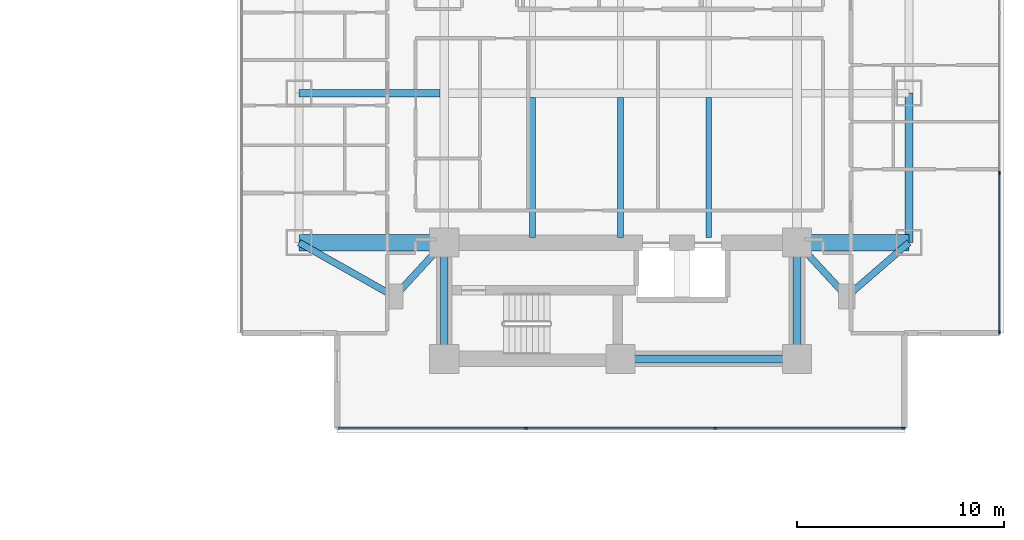
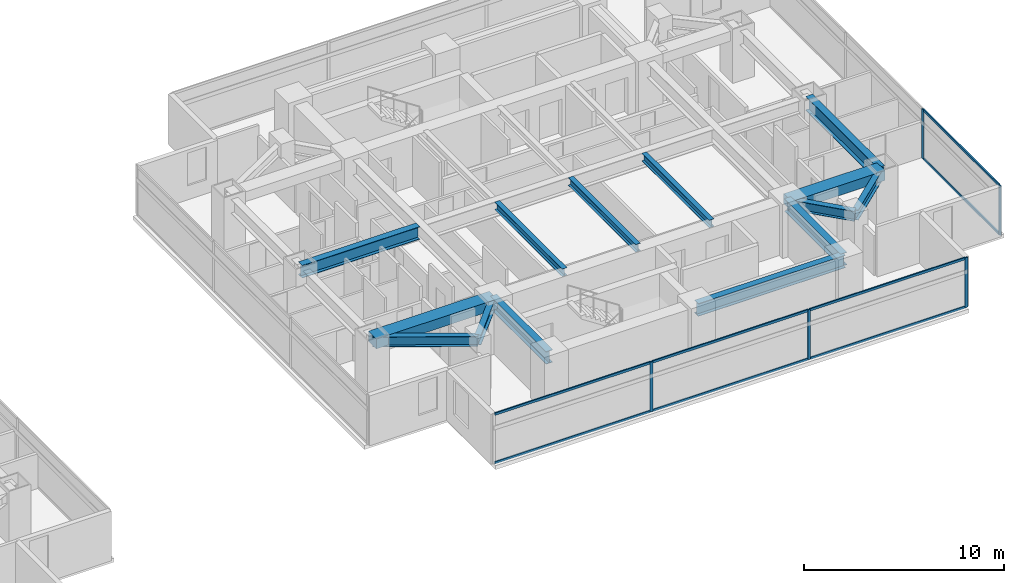
# One storey, part 8 of 23: 14 beams, 13 members, 2 elements without a shape of their own.
"""IFC4 building model written with IfcOpenShell, lengths in metres."""

from ifc_helpers import new_model, si_unit, direction, frame, origin, origin_2d, place, context, subcontext, project, spatial, rectangle, i_section, extrude, material, material_profile, profile_set, type_object, element, aggregate, save


model = new_model("IFC4")

# Units and contexts
model_context = context("Model", 3, precision=1e-05, world=origin(), true_north=direction((0.0, 1.0)))
body_context = subcontext(model_context, "Body", "Model", "MODEL_VIEW")
ifc_project = project(units=[si_unit("LENGTHUNIT", "METRE"), si_unit("AREAUNIT", "SQUARE_METRE"), si_unit("VOLUMEUNIT", "CUBIC_METRE"), si_unit("PLANEANGLEUNIT", "RADIAN"), si_unit("MASSUNIT", "GRAM", prefix="KILO")], contexts=[model_context])

# Site, building, storey
site_placement = place(None, origin())
site = spatial("IfcSite", under=ifc_project, at=site_placement, CompositionType="ELEMENT")
building_placement = place(site_placement, origin())
building = spatial("IfcBuilding", under=site, at=building_placement, Name="Mirazonda Arch Towers", CompositionType="ELEMENT")
storey_placement = place(building_placement, frame((0.0, 0.0, 29.0)))
storey = spatial("IfcBuildingStorey", under=building, at=storey_placement, Name="L07", CompositionType="ELEMENT", Elevation=29.0)

# Beams
ifc_material_1 = material(Name="Steel ASTM A992 Grade 50", Category="steel")
ifc_material_profile_1 = material_profile(ifc_material_1, i_section(OverallWidth=0.39990234375, OverallDepth=0.85595703125, WebThickness=0.018310546875, FlangeThickness=0.029296875, at=origin_2d()), Name="W33X201")
ifc_profile_set_1 = profile_set([ifc_material_profile_1], Name="Steel ASTM A992 Grade 50")
beam_type_1 = type_object("IfcBeamType", Name="BM-EXT-W33X201", PredefinedType="USERDEFINED", material=ifc_profile_set_1)
beam_1_placement = place(storey_placement, frame((90.39990234375, 20.800048828125, 2.632080078125), z_axis=(0.0, 1.0, 0.0), x_axis=(-1.0, 0.0, 0.0)))
element("IfcBeam", 1, at=beam_1_placement, inside=storey, type_object=beam_type_1, Name="L07 Floor Beam BM-T2-L07-NS-E-20", ObjectType="GIRDER", PredefinedType="USERDEFINED", context=body_context, shape_type="SweptSolid", body=[
    extrude(i_section(OverallWidth=0.39990234375, OverallDepth=0.85595703125, WebThickness=0.018310546875, FlangeThickness=0.029296875, at=origin_2d()), origin(), (0.0, 0.0, 1.0), 7.199951171875),
])
ifc_material_profile_2 = material_profile(ifc_material_1, i_section(OverallWidth=0.280029296875, OverallDepth=0.462890625, WebThickness=0.0107421875, FlangeThickness=0.017333984375, at=origin_2d()), Name="W18X76")
ifc_profile_set_2 = profile_set([ifc_material_profile_2], Name="Steel ASTM A992 Grade 50")
beam_type_2 = type_object("IfcBeamType", Name="BM-INT-W18X76", PredefinedType="JOIST", material=ifc_profile_set_2)
for number, where, z_axis, x_axis, name in (
    (2, (72.25, 21.0400390625, 2.82861328125), (0.0, 1.0, 0.0), (-1.0, 0.0, 0.0), "L07 Floor Beam BM-T2-L07-J-722-20"),
    (3, (76.5, 21.0400390625, 2.82861328125), (0.0, 1.0, 0.0), (-1.0, 0.0, 0.0), "L07 Floor Beam BM-T2-L07-J-765-20"),
    (4, (80.75, 21.0400390625, 2.82861328125), (0.0, 1.0, 0.0), (-1.0, 0.0, 0.0), "L07 Floor Beam BM-T2-L07-J-807-20"),
):
    element("IfcBeam", number, at=place(storey_placement, frame(where, z_axis=z_axis, x_axis=x_axis)), inside=storey, type_object=beam_type_2, Name=name, PredefinedType="JOIST", context=body_context, shape_type="SweptSolid", body=[
        extrude(i_section(OverallWidth=0.280029296875, OverallDepth=0.462890625, WebThickness=0.0107421875, FlangeThickness=0.017333984375, at=origin_2d()), origin(), (0.0, 0.0, 1.0), 6.7548828125),
    ])
ifc_material_profile_3 = material_profile(ifc_material_1, i_section(OverallWidth=0.324951171875, OverallDepth=0.615966796875, WebThickness=0.013916015625, FlangeThickness=0.021484375, at=origin_2d()), Name="W24X117")
ifc_profile_set_3 = profile_set([ifc_material_profile_3], Name="Steel ASTM A992 Grade 50")
beam_type_3 = type_object("IfcBeamType", Name="BM-INT-W24X117", PredefinedType="BEAM", material=ifc_profile_set_3)
beam_2_placement = place(storey_placement, frame((65.60009765625, 18.199951171875, 2.751953125), z_axis=(0.678251444854, 0.734829897019, 0.0), x_axis=(-0.734829897019, 0.678251444854, 0.0)))
element("IfcBeam", 5, at=beam_2_placement, inside=storey, type_object=beam_type_3, Name="L07 Floor Beam BM-T2-L07-PL-SW1", PredefinedType="BEAM", context=body_context, shape_type="SweptSolid", body=[
    extrude(i_section(OverallWidth=0.324951171875, OverallDepth=0.615966796875, WebThickness=0.013916015625, FlangeThickness=0.021484375, at=origin_2d()), origin(), (0.0, 0.0, 1.0), 3.538330078125),
])
beam_3_placement = place(storey_placement, frame((65.60009765625, 18.199951171875, 2.751953125), z_axis=(-0.870559396632, 0.492063346467, 0.0), x_axis=(-0.492063346467, -0.870559396632, 0.0)))
element("IfcBeam", 6, at=beam_3_placement, inside=storey, type_object=beam_type_3, Name="L07 Floor Beam BM-T2-L07-PL-SW2", PredefinedType="BEAM", context=body_context, shape_type="SweptSolid", body=[
    extrude(i_section(OverallWidth=0.324951171875, OverallDepth=0.615966796875, WebThickness=0.013916015625, FlangeThickness=0.021484375, at=origin_2d()), origin(), (0.0, 0.0, 1.0), 5.2841796875),
])
beam_4_placement = place(storey_placement, frame((87.39990234375, 18.199951171875, 2.751953125), z_axis=(-0.678251444854, 0.734829897019, 0.0), x_axis=(-0.734829897019, -0.678251444854, 0.0)))
element("IfcBeam", 7, at=beam_4_placement, inside=storey, type_object=beam_type_3, Name="L07 Floor Beam BM-T2-L07-PL-SE1", PredefinedType="BEAM", context=body_context, shape_type="SweptSolid", body=[
    extrude(i_section(OverallWidth=0.324951171875, OverallDepth=0.615966796875, WebThickness=0.013916015625, FlangeThickness=0.021484375, at=origin_2d()), origin(), (0.0, 0.0, 1.0), 3.538330078125),
])
beam_5_placement = place(storey_placement, frame((87.39990234375, 18.199951171875, 2.751953125), z_axis=(0.755676908098, 0.654944585876, 0.0), x_axis=(-0.654944585876, 0.755676908098, 0.0)))
element("IfcBeam", 8, at=beam_5_placement, inside=storey, type_object=beam_type_3, Name="L07 Floor Beam BM-T2-L07-PL-SE2", PredefinedType="BEAM", context=body_context, shape_type="SweptSolid", body=[
    extrude(i_section(OverallWidth=0.324951171875, OverallDepth=0.615966796875, WebThickness=0.013916015625, FlangeThickness=0.021484375, at=origin_2d()), origin(), (0.0, 0.0, 1.0), 3.969970703125),
])
ifc_material_profile_4 = material_profile(ifc_material_1, i_section(OverallWidth=0.381103515625, OverallDepth=0.77294921875, WebThickness=0.0166015625, FlangeThickness=0.027099609375, at=origin_2d()), Name="W30X173")
ifc_profile_set_4 = profile_set([ifc_material_profile_4], Name="Steel ASTM A992 Grade 50")
beam_type_4 = type_object("IfcBeamType", Name="BM-INT-W30X173", PredefinedType="USERDEFINED", material=ifc_profile_set_4)
beam_6_placement = place(storey_placement, frame((76.5, 15.199951171875, 2.673583984375), z_axis=(1.0, 0.0, 0.0), x_axis=(0.0, 1.0, 0.0)))
element("IfcBeam", 9, at=beam_6_placement, inside=storey, type_object=beam_type_4, Name="L07 Floor Beam BM-T2-L07-CS2", ObjectType="GIRDER", PredefinedType="USERDEFINED", context=body_context, shape_type="SweptSolid", body=[
    extrude(i_section(OverallWidth=0.381103515625, OverallDepth=0.77294921875, WebThickness=0.0166015625, FlangeThickness=0.027099609375, at=origin_2d()), origin(), (0.0, 0.0, 1.0), 8.5),
])
for number, where, z_axis, x_axis, name in (
    (10, (68.0, 15.199951171875, 2.673583984375), (0.0, 1.0, 0.0), (-1.0, 0.0, 0.0), "L07 Floor Beam BM-T2-L07-CSW"),
    (11, (85.0, 15.199951171875, 2.673583984375), (0.0, 1.0, 0.0), (-1.0, 0.0, 0.0), "L07 Floor Beam BM-T2-L07-CSE"),
):
    element("IfcBeam", number, at=place(storey_placement, frame(where, z_axis=z_axis, x_axis=x_axis)), inside=storey, type_object=beam_type_4, Name=name, ObjectType="GIRDER", PredefinedType="USERDEFINED", context=body_context, shape_type="SweptSolid", body=[
        extrude(i_section(OverallWidth=0.381103515625, OverallDepth=0.77294921875, WebThickness=0.0166015625, FlangeThickness=0.027099609375, at=origin_2d()), origin(), (0.0, 0.0, 1.0), 5.60009765625),
    ])
beam_7_placement = place(storey_placement, frame((61.0, 28.0, 2.673583984375), z_axis=(1.0, 0.0, 0.0), x_axis=(0.0, 1.0, 0.0)))
element("IfcBeam", 12, at=beam_7_placement, inside=storey, type_object=beam_type_4, Name="L07 Floor Beam BM-T2-L07-GW2", ObjectType="GIRDER", PredefinedType="USERDEFINED", context=body_context, shape_type="SweptSolid", body=[
    extrude(i_section(OverallWidth=0.381103515625, OverallDepth=0.77294921875, WebThickness=0.0166015625, FlangeThickness=0.027099609375, at=origin_2d()), origin(), (0.0, 0.0, 1.0), 6.791015625),
])
ifc_material_2 = material(Name="Concrete C60/75", Category="concrete")
ifc_material_profile_5 = material_profile(ifc_material_2, rectangle(XDim=0.800048828125, YDim=0.60009765625, at=origin_2d()), Name="RCCB800x600")
ifc_profile_set_5 = profile_set([ifc_material_profile_5], Name="Concrete C60/75")
beam_type_5 = type_object("IfcBeamType", Name="CB-INT-RCCB800x600", PredefinedType="SPANDREL", material=ifc_profile_set_5)
beam_8_placement = place(storey_placement, frame((61.0, 20.800048828125, 2.760009765625), z_axis=(1.0, 0.0, 0.0), x_axis=(0.0, 1.0, 0.0)))
element("IfcBeam", 13, at=beam_8_placement, inside=storey, type_object=beam_type_5, Name="L07 Floor Beam CBC-T2-L07-SW", PredefinedType="SPANDREL", context=body_context, shape_type="SweptSolid", body=[
    extrude(rectangle(XDim=0.800048828125, YDim=0.60009765625, at=origin_2d()), origin(), (0.0, 0.0, 1.0), 7.0),
])
beam_9_placement = place(storey_placement, frame((85.0, 20.800048828125, 2.760009765625), z_axis=(1.0, 0.0, 0.0), x_axis=(0.0, 1.0, 0.0)))
element("IfcBeam", 14, at=beam_9_placement, inside=storey, type_object=beam_type_5, Name="L07 Floor Beam CBC-T2-L07-SE", PredefinedType="SPANDREL", context=body_context, shape_type="SweptSolid", body=[
    extrude(rectangle(XDim=0.800048828125, YDim=0.60009765625, at=origin_2d()), origin(), (0.0, 0.0, 1.0), 5.39990234375),
])

# Curtain wall, members
ifc_material_3 = material(Name="Anodised Aluminium and Low-E Glass", Category="aluminium")
curtain_wall_type = type_object("IfcCurtainWallType", Name="CW-HTL-UNIT", PredefinedType="NOTDEFINED", material=ifc_material_3)
curtain_wall_1_placement = place(storey_placement, origin())
curtain_wall_1 = element("IfcCurtainWall", 15, at=curtain_wall_1_placement, inside=storey, type_object=curtain_wall_type, Name="L07 T2 S Facade CW-L07-T2-S", PredefinedType="NOTDEFINED")
ifc_material_4 = material(Name="Anodised Aluminium Alloy", Category="aluminium")
ifc_material_profile_6 = material_profile(ifc_material_4, rectangle(XDim=0.074951171875, YDim=0.1650390625, at=origin_2d()), Name="ALU-MULL-75x165")
ifc_profile_set_6 = profile_set([ifc_material_profile_6], Name="Anodised Aluminium Alloy")
member_type_1 = type_object("IfcMemberType", Name="MULL-CW-HTL-UNIT", PredefinedType="MULLION", material=ifc_profile_set_6)
member_1_placement = place(storey_placement, frame((90.138427734375, 11.853515625, 0.0), z_axis=(0.0, 0.0, 1.0), x_axis=(0.0, -1.0, 0.0)))
member_1 = element("IfcMember", 16, at=member_1_placement, type_object=member_type_1, Name="CW-112 mullion 1", PredefinedType="MULLION", context=body_context, shape_type="SweptSolid", body=[
    extrude(rectangle(XDim=0.074951171875, YDim=0.1650390625, at=origin_2d()), origin(), (0.0, 0.0, 1.0), 3.0400390625),
])
member_2_placement = place(storey_placement, frame((81.05859375, 11.853515625, 0.0), z_axis=(0.0, 0.0, 1.0), x_axis=(0.0, -1.0, 0.0)))
member_2 = element("IfcMember", 17, at=member_2_placement, type_object=member_type_1, Name="CW-112 mullion 2", PredefinedType="MULLION", context=body_context, shape_type="SweptSolid", body=[
    extrude(rectangle(XDim=0.074951171875, YDim=0.1650390625, at=origin_2d()), origin(), (0.0, 0.0, 1.0), 3.0400390625),
])
member_3_placement = place(storey_placement, frame((71.94140625, 11.853515625, 0.0), z_axis=(0.0, 0.0, 1.0), x_axis=(0.0, -1.0, 0.0)))
member_3 = element("IfcMember", 18, at=member_3_placement, type_object=member_type_1, Name="CW-112 mullion 3", PredefinedType="MULLION", context=body_context, shape_type="SweptSolid", body=[
    extrude(rectangle(XDim=0.074951171875, YDim=0.1650390625, at=origin_2d()), origin(), (0.0, 0.0, 1.0), 3.0400390625),
])

curtain_wall_2_placement = place(storey_placement, origin())
curtain_wall_2 = element("IfcCurtainWall", 19, at=curtain_wall_2_placement, inside=storey, type_object=curtain_wall_type, Name="L07 T2 E Facade CW-L07-T2-E", PredefinedType="NOTDEFINED")
member_4_placement = place(storey_placement, frame((94.756103515625, 16.470947265625, 0.0), z_axis=(0.0, 0.0, 1.0), x_axis=(-1.0, 0.0, 0.0)))
member_4 = element("IfcMember", 20, at=member_4_placement, type_object=member_type_1, Name="CW-112 mullion 1", PredefinedType="MULLION", context=body_context, shape_type="SweptSolid", body=[
    extrude(rectangle(XDim=0.074951171875, YDim=0.1650390625, at=origin_2d()), origin(), (0.0, 0.0, 1.0), 3.0400390625),
])
member_5_placement = place(storey_placement, frame((94.756103515625, 24.14453125, 0.0), z_axis=(0.0, 0.0, 1.0), x_axis=(-1.0, 0.0, 0.0)))
member_5 = element("IfcMember", 21, at=member_5_placement, type_object=member_type_1, Name="CW-112 mullion 2", PredefinedType="MULLION", context=body_context, shape_type="SweptSolid", body=[
    extrude(rectangle(XDim=0.074951171875, YDim=0.1650390625, at=origin_2d()), origin(), (0.0, 0.0, 1.0), 3.0400390625),
])

# Member
ifc_material_profile_7 = material_profile(ifc_material_4, rectangle(XDim=0.074951171875, YDim=0.14501953125, at=origin_2d()), Name="ALU-TRAN-75x145")
ifc_profile_set_7 = profile_set([ifc_material_profile_7], Name="Anodised Aluminium Alloy")
member_type_2 = type_object("IfcMemberType", Name="TRAN-CW-HTL-UNIT", PredefinedType="USERDEFINED", material=ifc_profile_set_7)
member_6_placement = place(storey_placement, frame((90.10107421875, 11.853515625, 0.03759765625), z_axis=(-1.0, 0.0, 0.0), x_axis=(0.0, -1.0, 0.0)))
member_6 = element("IfcMember", 22, at=member_6_placement, type_object=member_type_2, Name="CW-112 transom 1.1", ObjectType="TRANSOM", PredefinedType="USERDEFINED", context=body_context, shape_type="SweptSolid", body=[
    extrude(rectangle(XDim=0.074951171875, YDim=0.14501953125, at=origin_2d()), origin(), (0.0, 0.0, 1.0), 9.0048828125),
])

member_7_placement = place(storey_placement, frame((90.10107421875, 11.853515625, 3.00244140625), z_axis=(-1.0, 0.0, 0.0), x_axis=(0.0, -1.0, 0.0)))
member_7 = element("IfcMember", 23, at=member_7_placement, type_object=member_type_2, Name="CW-112 transom 1.2", ObjectType="TRANSOM", PredefinedType="USERDEFINED", context=body_context, shape_type="SweptSolid", body=[
    extrude(rectangle(XDim=0.074951171875, YDim=0.14501953125, at=origin_2d()), origin(), (0.0, 0.0, 1.0), 9.0048828125),
])

member_8_placement = place(storey_placement, frame((81.021240234375, 11.853515625, 0.03759765625), z_axis=(-1.0, 0.0, 0.0), x_axis=(0.0, -1.0, 0.0)))
member_8 = element("IfcMember", 24, at=member_8_placement, type_object=member_type_2, Name="CW-112 transom 2.1", ObjectType="TRANSOM", PredefinedType="USERDEFINED", context=body_context, shape_type="SweptSolid", body=[
    extrude(rectangle(XDim=0.074951171875, YDim=0.14501953125, at=origin_2d()), origin(), (0.0, 0.0, 1.0), 9.04248046875),
])

member_9_placement = place(storey_placement, frame((81.021240234375, 11.853515625, 3.00244140625), z_axis=(-1.0, 0.0, 0.0), x_axis=(0.0, -1.0, 0.0)))
member_9 = element("IfcMember", 25, at=member_9_placement, type_object=member_type_2, Name="CW-112 transom 2.2", ObjectType="TRANSOM", PredefinedType="USERDEFINED", context=body_context, shape_type="SweptSolid", body=[
    extrude(rectangle(XDim=0.074951171875, YDim=0.14501953125, at=origin_2d()), origin(), (0.0, 0.0, 1.0), 9.04248046875),
])

member_10_placement = place(storey_placement, frame((71.90380859375, 11.853515625, 0.03759765625), z_axis=(-1.0, 0.0, 0.0), x_axis=(0.0, -1.0, 0.0)))
member_10 = element("IfcMember", 26, at=member_10_placement, type_object=member_type_2, Name="CW-112 transom 3.1", ObjectType="TRANSOM", PredefinedType="USERDEFINED", context=body_context, shape_type="SweptSolid", body=[
    extrude(rectangle(XDim=0.074951171875, YDim=0.14501953125, at=origin_2d()), origin(), (0.0, 0.0, 1.0), 9.0048828125),
])

member_11_placement = place(storey_placement, frame((71.90380859375, 11.853515625, 3.00244140625), z_axis=(-1.0, 0.0, 0.0), x_axis=(0.0, -1.0, 0.0)))
member_11 = element("IfcMember", 27, at=member_11_placement, type_object=member_type_2, Name="CW-112 transom 3.2", ObjectType="TRANSOM", PredefinedType="USERDEFINED", context=body_context, shape_type="SweptSolid", body=[
    extrude(rectangle(XDim=0.074951171875, YDim=0.14501953125, at=origin_2d()), origin(), (0.0, 0.0, 1.0), 9.0048828125),
])

aggregate(curtain_wall_1, [member_1, member_2, member_3, member_6, member_7, member_8, member_9, member_10, member_11])

member_12_placement = place(storey_placement, frame((94.756103515625, 16.50830078125, 0.03759765625), z_axis=(0.0, 1.0, 0.0), x_axis=(-1.0, 0.0, 0.0)))
member_12 = element("IfcMember", 28, at=member_12_placement, type_object=member_type_2, Name="CW-112 transom 1.1", ObjectType="TRANSOM", PredefinedType="USERDEFINED", context=body_context, shape_type="SweptSolid", body=[
    extrude(rectangle(XDim=0.074951171875, YDim=0.14501953125, at=origin_2d()), origin(), (0.0, 0.0, 1.0), 7.5986328125),
])

member_13_placement = place(storey_placement, frame((94.756103515625, 16.50830078125, 3.00244140625), z_axis=(0.0, 1.0, 0.0), x_axis=(-1.0, 0.0, 0.0)))
member_13 = element("IfcMember", 29, at=member_13_placement, type_object=member_type_2, Name="CW-112 transom 1.2", ObjectType="TRANSOM", PredefinedType="USERDEFINED", context=body_context, shape_type="SweptSolid", body=[
    extrude(rectangle(XDim=0.074951171875, YDim=0.14501953125, at=origin_2d()), origin(), (0.0, 0.0, 1.0), 7.5986328125),
])

aggregate(curtain_wall_2, [member_4, member_5, member_12, member_13])

save(model, "model.ifc")
